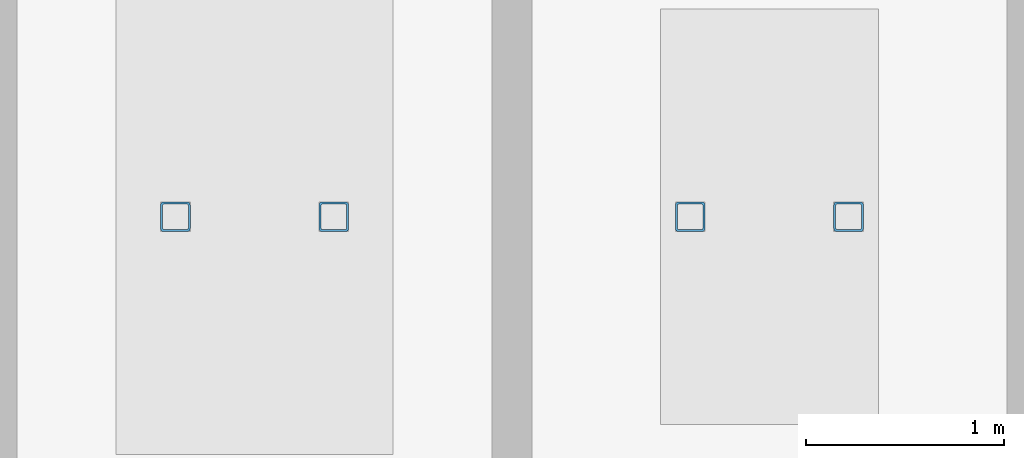
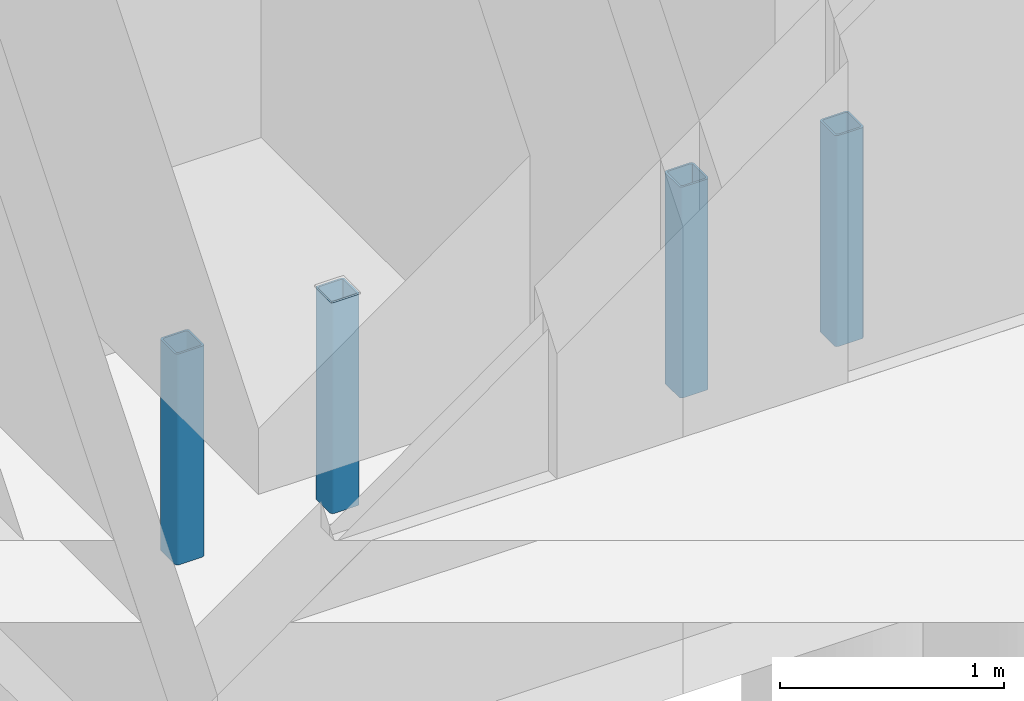
# One storey, part 53 of 126: 4 members.
"""IFC4 building model written with IfcOpenShell, lengths in metres."""

from ifc_helpers import new_model, si_unit, direction, frame, origin, origin_2d, place, context, subcontext, project, spatial, hollow_rectangle, extrude, material, material_profile, profile_set, type_object, element, save


model = new_model("IFC4")

# Units and contexts
model_context = context("Model", 3, precision=1e-05, world=origin(), true_north=direction((0.0, 1.0)))
body_context = subcontext(model_context, "Body", "Model", "MODEL_VIEW")
ifc_project = project(units=[si_unit("LENGTHUNIT", "METRE"), si_unit("AREAUNIT", "SQUARE_METRE"), si_unit("VOLUMEUNIT", "CUBIC_METRE"), si_unit("PLANEANGLEUNIT", "RADIAN"), si_unit("MASSUNIT", "GRAM", prefix="KILO")], contexts=[model_context])

# Site, building, storey
site_placement = place(None, origin())
site = spatial("IfcSite", under=ifc_project, at=site_placement, CompositionType="ELEMENT")
building_placement = place(site_placement, origin())
building = spatial("IfcBuilding", under=site, at=building_placement, Name="Kallimachos Central Library", CompositionType="ELEMENT")
storey_placement = place(building_placement, origin())
storey = spatial("IfcBuildingStorey", under=building, at=storey_placement, Name="L00", CompositionType="ELEMENT", Elevation=0.0)

# Members
ifc_material = material(Name="Steel S355J2H", Category="steel")
ifc_material_profile = material_profile(ifc_material, hollow_rectangle(XDim=0.14990234375, YDim=0.14990234375, WallThickness=0.010009765625, InnerFilletRadius=0.010009765625, OuterFilletRadius=0.014892578125, at=origin_2d()), Name="SHS 150x150x10")
ifc_profile_set = profile_set([ifc_material_profile], Name="Steel S355J2H")
member_type = type_object("IfcMemberType", Name="SHS 150x150x10 lift buffer", PredefinedType="POST", material=ifc_profile_set)
for number, where, z_axis, x_axis, name in (
    (1, (105.64990234375, 94.300048828125, -1.10009765625), (0.0, 0.0, 1.0), (1.0, 0.0, 0.0), "Lift LF3 buffer"),
    (2, (106.449951171875, 94.300048828125, -1.10009765625), (0.0, 0.0, 1.0), (1.0, 0.0, 0.0), "Lift LF3 buffer"),
    (3, (103.050048828125, 94.300048828125, -1.10009765625), (0.0, 0.0, 1.0), (1.0, 0.0, 0.0), "Lift LF4 buffer"),
    (4, (103.85009765625, 94.300048828125, -1.10009765625), (0.0, 0.0, 1.0), (1.0, 0.0, 0.0), "Lift LF4 buffer"),
):
    element("IfcMember", number, at=place(storey_placement, frame(where, z_axis=z_axis, x_axis=x_axis)), inside=storey, type_object=member_type, Name=name, PredefinedType="POST", context=body_context, shape_type="SweptSolid", body=[
        extrude(hollow_rectangle(XDim=0.14990234375, YDim=0.14990234375, WallThickness=0.010009765625, InnerFilletRadius=0.010009765625, OuterFilletRadius=0.014892578125, at=origin_2d()), origin(), (0.0, 0.0, 1.0), 1.150146484375),
    ])

save(model, "model.ifc")
